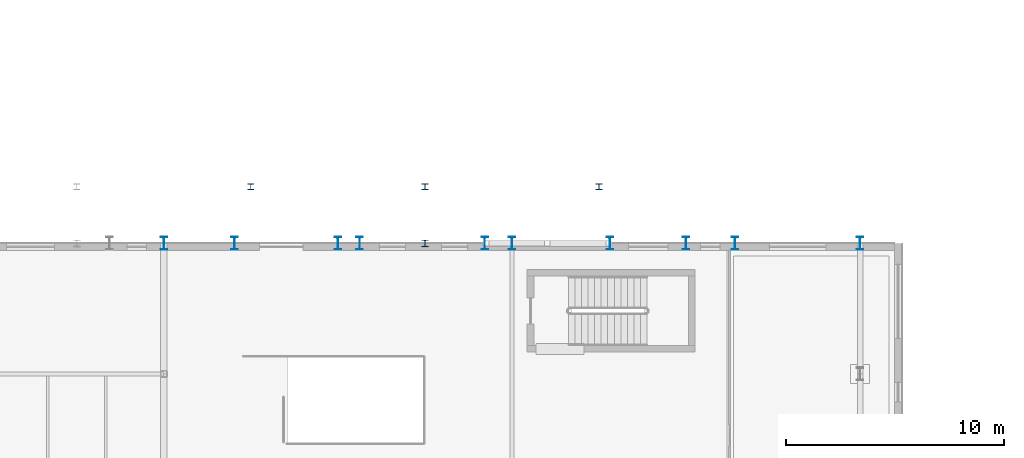
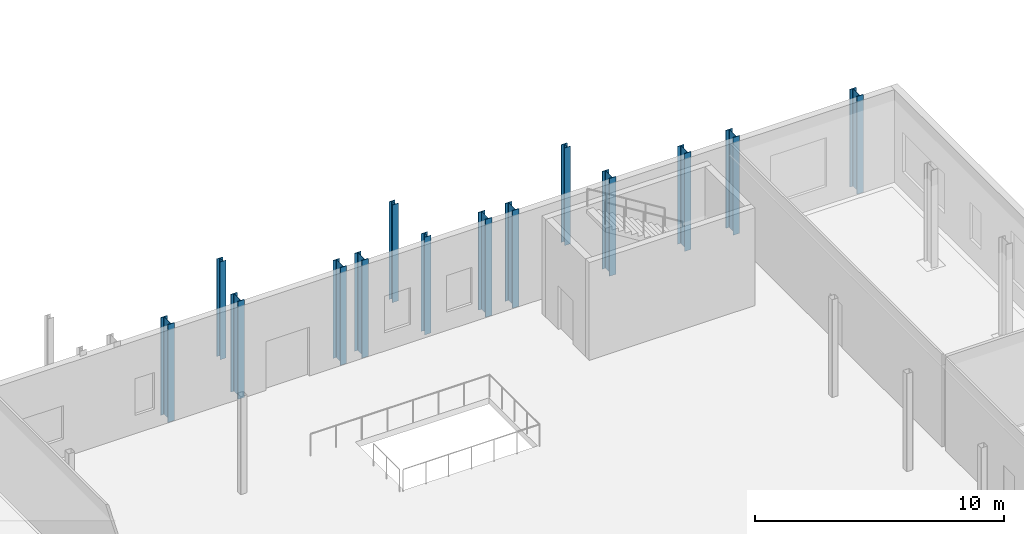
# One storey, part 7 of 60: 14 columns.
"""IFC4 building model written with IfcOpenShell, lengths in metres."""

from ifc_helpers import new_model, si_unit, direction, frame, origin, origin_2d, place, context, subcontext, project, spatial, i_section, extrude, material, material_profile, profile_set, type_object, element, save


model = new_model("IFC4")

# Units and contexts
model_context = context("Model", 3, precision=1e-05, world=origin(), true_north=direction((0.0, 1.0)))
body_context = subcontext(model_context, "Body", "Model", "MODEL_VIEW")
ifc_project = project(units=[si_unit("LENGTHUNIT", "METRE"), si_unit("AREAUNIT", "SQUARE_METRE"), si_unit("VOLUMEUNIT", "CUBIC_METRE"), si_unit("PLANEANGLEUNIT", "RADIAN"), si_unit("MASSUNIT", "GRAM", prefix="KILO")], contexts=[model_context])

# Site, building, storey
site_placement = place(None, origin())
site = spatial("IfcSite", under=ifc_project, at=site_placement, CompositionType="ELEMENT")
building_placement = place(site_placement, origin())
building = spatial("IfcBuilding", under=site, at=building_placement, Name="Cymarion Research Institute", CompositionType="ELEMENT")
storey_placement = place(building_placement, origin())
storey = spatial("IfcBuildingStorey", under=building, at=storey_placement, Name="L00", CompositionType="ELEMENT", Elevation=0.0)

# Columns
ifc_material = material(Name="Steel S355", Category="steel")
ifc_material_profile_1 = material_profile(ifc_material, i_section(OverallWidth=0.300048828125, OverallDepth=0.60009765625, WebThickness=0.015380859375, FlangeThickness=0.030029296875, FilletRadius=0.027099609375, at=origin_2d()), Name="HEB 600")
ifc_profile_set_1 = profile_set([ifc_material_profile_1], Name="Steel S355")
column_type_1 = type_object("IfcColumnType", Name="STRUCTURAL COLUMN C02 HEB 600", PredefinedType="COLUMN", material=ifc_profile_set_1)
for number, where, z_axis, x_axis, name in (
    (1, (70.60009765625, 41.5, 0.0), (0.0, 0.0, 1.0), (1.0, 0.0, 0.0), "L00 V2 column C02 #363"),
    (2, (73.85009765625, 41.5, 0.0), (0.0, 0.0, 1.0), (1.0, 0.0, 0.0), "L00 V2 column C02 #365"),
    (3, (78.60009765625, 41.5, 0.0), (0.0, 0.0, 1.0), (1.0, 0.0, 0.0), "L00 V2 column C02 #369"),
    (4, (79.60009765625, 41.5, 0.0), (0.0, 0.0, 1.0), (1.0, 0.0, 0.0), "L00 V2 column C02 #371"),
    (5, (85.35009765625, 41.5, 0.0), (0.0, 0.0, 1.0), (1.0, 0.0, 0.0), "L00 V2 column C02 #376"),
    (6, (86.60009765625, 41.5, 0.0), (0.0, 0.0, 1.0), (1.0, 0.0, 0.0), "L00 V2 column C02 #379"),
    (7, (91.10009765625, 41.5, 0.0), (0.0, 0.0, 1.0), (1.0, 0.0, 0.0), "L00 V2 column C02 #382"),
    (8, (94.60009765625, 41.5, 0.0), (0.0, 0.0, 1.0), (1.0, 0.0, 0.0), "L00 V2 column C02 #388"),
    (9, (96.85009765625, 41.5, 0.0), (0.0, 0.0, 1.0), (1.0, 0.0, 0.0), "L00 V2 column C02 #390"),
    (10, (102.60009765625, 41.5, 0.0), (0.0, 0.0, 1.0), (1.0, 0.0, 0.0), "L00 V2 column C02 #397"),
):
    element("IfcColumn", number, at=place(storey_placement, frame(where, z_axis=z_axis, x_axis=x_axis)), inside=storey, type_object=column_type_1, Name=name, PredefinedType="COLUMN", context=body_context, shape_type="SweptSolid", body=[
        extrude(i_section(OverallWidth=0.300048828125, OverallDepth=0.60009765625, WebThickness=0.015380859375, FlangeThickness=0.030029296875, FilletRadius=0.027099609375, at=origin_2d()), origin(), (0.0, 0.0, 1.0), 4.800048828125),
    ])
ifc_material_profile_2 = material_profile(ifc_material, i_section(OverallWidth=0.300048828125, OverallDepth=0.300048828125, WebThickness=0.010986328125, FlangeThickness=0.01904296875, FilletRadius=0.027099609375, at=origin_2d()), Name="HEB 300")
ifc_profile_set_2 = profile_set([ifc_material_profile_2], Name="Steel S355")
column_type_2 = type_object("IfcColumnType", Name="STRUCTURAL COLUMN C08 HEB 300", PredefinedType="COLUMN", material=ifc_profile_set_2)
column_placement = place(storey_placement, frame((82.60009765625, 41.5, 0.0), z_axis=(0.0, 0.0, 1.0), x_axis=(1.0, 0.0, 0.0)))
element("IfcColumn", 11, at=column_placement, inside=storey, type_object=column_type_2, Name="L00 V2 column C08 #373", PredefinedType="COLUMN", context=body_context, shape_type="SweptSolid", body=[
    extrude(i_section(OverallWidth=0.300048828125, OverallDepth=0.300048828125, WebThickness=0.010986328125, FlangeThickness=0.01904296875, FilletRadius=0.027099609375, at=origin_2d()), origin(), (0.0, 0.0, 1.0), 4.800048828125),
])
ifc_material_profile_3 = material_profile(ifc_material, i_section(OverallWidth=0.280029296875, OverallDepth=0.280029296875, WebThickness=0.010498046875, FlangeThickness=0.01806640625, FilletRadius=0.02392578125, at=origin_2d()), Name="HEB 280")
ifc_profile_set_3 = profile_set([ifc_material_profile_3], Name="Steel S355")
column_type_3 = type_object("IfcColumnType", Name="STRUCTURAL COLUMN C09 HEB 280", PredefinedType="COLUMN", material=ifc_profile_set_3)
for number, where, z_axis, x_axis, name in (
    (12, (74.60009765625, 44.10009765625, 0.0), (0.0, 0.0, 1.0), (1.0, 0.0, 0.0), "L00 V2 column C09 #366"),
    (13, (82.60009765625, 44.10009765625, 0.0), (0.0, 0.0, 1.0), (1.0, 0.0, 0.0), "L00 V2 column C09 #374"),
    (14, (90.60009765625, 44.10009765625, 0.0), (0.0, 0.0, 1.0), (1.0, 0.0, 0.0), "L00 V2 column C09 #380"),
):
    element("IfcColumn", number, at=place(storey_placement, frame(where, z_axis=z_axis, x_axis=x_axis)), inside=storey, type_object=column_type_3, Name=name, PredefinedType="COLUMN", context=body_context, shape_type="SweptSolid", body=[
        extrude(i_section(OverallWidth=0.280029296875, OverallDepth=0.280029296875, WebThickness=0.010498046875, FlangeThickness=0.01806640625, FilletRadius=0.02392578125, at=origin_2d()), origin(), (0.0, 0.0, 1.0), 4.800048828125),
    ])

save(model, "model.ifc")
